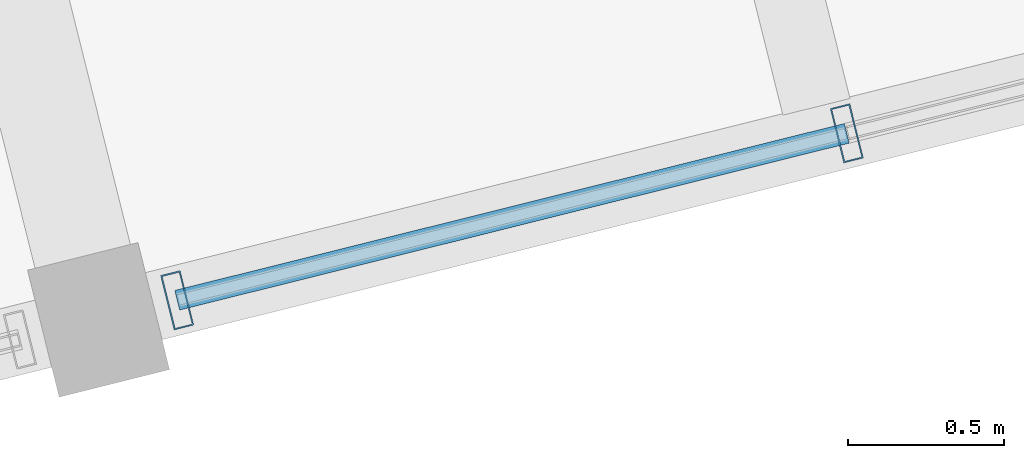
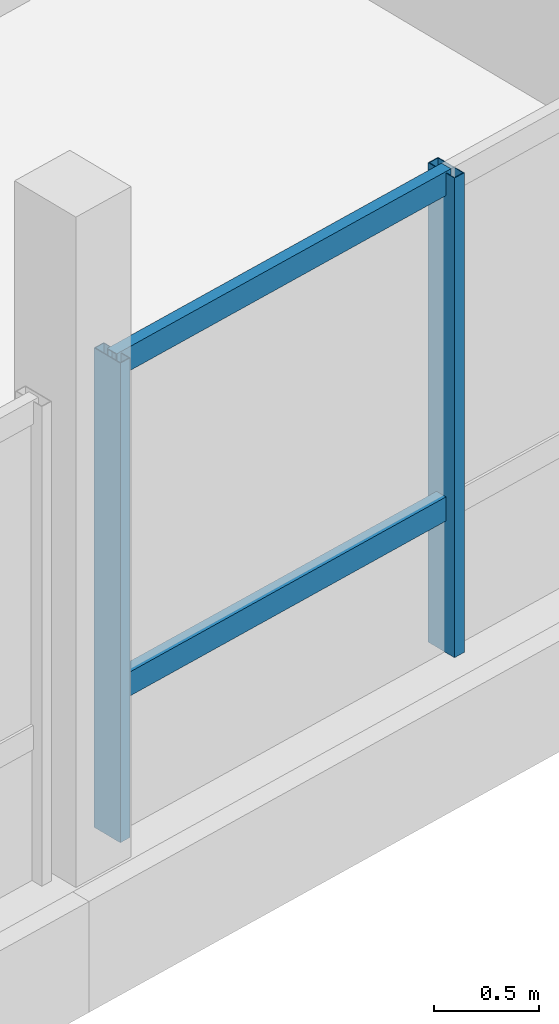
# One storey, part 5 of 28: 4 members, 1 element without a shape of its own.
"""IFC4 building model written with IfcOpenShell, lengths in metres."""

from ifc_helpers import new_model, si_unit, direction, frame, origin, origin_2d, place, context, subcontext, project, spatial, hollow_rectangle, extrude, material, layer, layer_set, material_profile, profile_set, type_object, element, aggregate, save


model = new_model("IFC4")

# Units and contexts
model_context = context("Model", 3, precision=1e-05, world=origin(), true_north=direction((0.0, 1.0)))
body_context = subcontext(model_context, "Body", "Model", "MODEL_VIEW")
ifc_project = project(units=[si_unit("LENGTHUNIT", "METRE"), si_unit("AREAUNIT", "SQUARE_METRE"), si_unit("VOLUMEUNIT", "CUBIC_METRE"), si_unit("PLANEANGLEUNIT", "RADIAN"), si_unit("MASSUNIT", "GRAM", prefix="KILO")], contexts=[model_context])

# Site, building, storey
site_placement = place(None, origin())
site = spatial("IfcSite", under=ifc_project, at=site_placement, CompositionType="ELEMENT")
building_placement = place(site_placement, origin())
building = spatial("IfcBuilding", under=site, at=building_placement, Name="Meriwether Solvik Hall", CompositionType="ELEMENT")
storey_placement = place(building_placement, frame((0.0, 0.0, 30.0)))
storey = spatial("IfcBuildingStorey", under=building, at=storey_placement, Name="L07", CompositionType="ELEMENT", Elevation=30.0)

# Curtain wall, members
ifc_material_1 = material(Name="Thermally Broken Anodised Aluminium 6063-T6 and Low-E Glass", Category="aluminium")
ifc_layer = layer(ifc_material_1, 0.179931640625)
ifc_layer_set = layer_set([ifc_layer], Name="Thermally Broken Anodised Aluminium 6063-T6 and Low-E Glass")
curtain_wall_type = type_object("IfcCurtainWallType", Name="CW-UNIT-A", PredefinedType="USERDEFINED", material=ifc_layer_set)
curtain_wall_placement = place(storey_placement, origin())
curtain_wall = element("IfcCurtainWall", 1, at=curtain_wall_placement, inside=storey, type_object=curtain_wall_type, Name="Curtain Wall E0_B3 (L07)", ObjectType="UNITISED CURTAIN WALL", PredefinedType="USERDEFINED")
ifc_material_2 = material(Name="Anodised Aluminium 6063-T6", Category="aluminium")
ifc_material_profile_1 = material_profile(ifc_material_2, hollow_rectangle(XDim=0.06494140625, YDim=0.179931640625, WallThickness=0.00439453125, at=origin_2d()), Name="CWM-65X180")
ifc_profile_set_1 = profile_set([ifc_material_profile_1], Name="Anodised Aluminium 6063-T6")
member_type_1 = type_object("IfcMemberType", Name="CW-MUL-65X180", PredefinedType="MULLION", material=ifc_profile_set_1)
member_1_placement = place(storey_placement, frame((92.346923828125, 47.120849609375, 0.0), z_axis=(0.0, 0.0, 1.0), x_axis=(-0.970295703518, -0.241921986879, 0.0)))
member_1 = element("IfcMember", 2, at=member_1_placement, type_object=member_type_1, Name="Curtain Wall Mullion 3", PredefinedType="MULLION", context=body_context, shape_type="SweptSolid", body=[
    extrude(hollow_rectangle(XDim=0.06494140625, YDim=0.179931640625, WallThickness=0.00439453125, at=origin_2d()), origin(), (0.0, 0.0, 1.0), 2.7900390625),
])
member_2_placement = place(storey_placement, frame((90.19873046875, 46.585205078125, 0.0), z_axis=(0.0, 0.0, 1.0), x_axis=(-0.970295703518, -0.241921986879, 0.0)))
member_2 = element("IfcMember", 3, at=member_2_placement, type_object=member_type_1, Name="Curtain Wall Mullion 4", PredefinedType="MULLION", context=body_context, shape_type="SweptSolid", body=[
    extrude(hollow_rectangle(XDim=0.06494140625, YDim=0.179931640625, WallThickness=0.00439453125, at=origin_2d()), origin(), (0.0, 0.0, 1.0), 2.7900390625),
])
ifc_material_3 = material(Name="Anodised Aluminium 6063-T6", Category="aluminium")
ifc_material_profile_2 = material_profile(ifc_material_3, hollow_rectangle(XDim=0.06494140625, YDim=0.139892578125, WallThickness=0.00439453125, at=origin_2d()), Name="CWT-65X140")
ifc_profile_set_2 = profile_set([ifc_material_profile_2], Name="Anodised Aluminium 6063-T6")
member_type_2 = type_object("IfcMemberType", Name="CW-TRN-65X140", PredefinedType="USERDEFINED", material=ifc_profile_set_2)
member_3_placement = place(storey_placement, frame((92.346923828125, 47.120849609375, 0.8369140625), z_axis=(-0.970291509385, -0.241938808, 0.0), x_axis=(0.241938808, -0.970291509385, 0.0)))
member_3 = element("IfcMember", 4, at=member_3_placement, type_object=member_type_2, Name="Curtain Wall Transom 3-sill", ObjectType="TRANSOM", PredefinedType="USERDEFINED", context=body_context, shape_type="SweptSolid", body=[
    extrude(hollow_rectangle(XDim=0.06494140625, YDim=0.139892578125, WallThickness=0.00439453125, at=origin_2d()), origin(), (0.0, 0.0, 1.0), 2.2138671875),
])
member_4_placement = place(storey_placement, frame((92.346923828125, 47.120849609375, 2.72998046875), z_axis=(-0.970291509385, -0.241938808, 0.0), x_axis=(0.241938808, -0.970291509385, 0.0)))
member_4 = element("IfcMember", 5, at=member_4_placement, type_object=member_type_2, Name="Curtain Wall Transom 3-head", ObjectType="TRANSOM", PredefinedType="USERDEFINED", context=body_context, shape_type="SweptSolid", body=[
    extrude(hollow_rectangle(XDim=0.06494140625, YDim=0.139892578125, WallThickness=0.00439453125, at=origin_2d()), origin(), (0.0, 0.0, 1.0), 2.2138671875),
])
aggregate(curtain_wall, [member_1, member_2, member_3, member_4])

save(model, "model.ifc")
